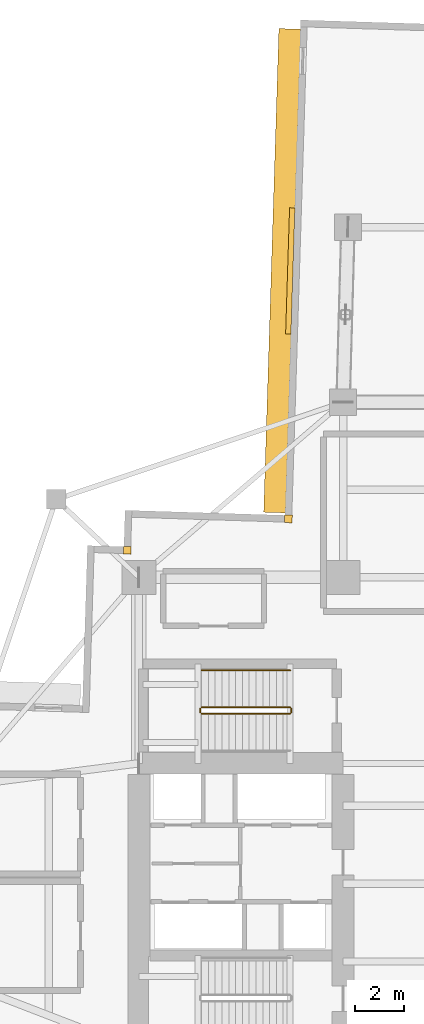
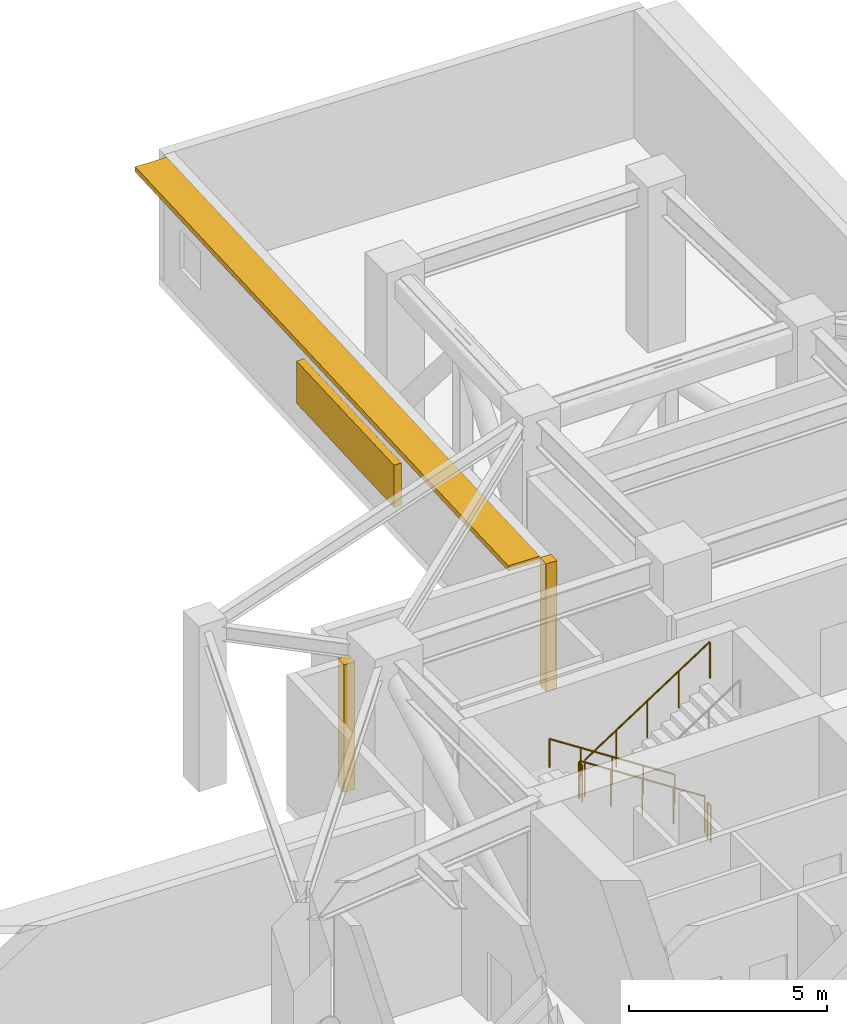
# One storey, part 16 of 17: 5 railings, 2 coverings, 2 shading devices.
"""IFC4 building model written with IfcOpenShell, lengths in metres."""

from ifc_helpers import new_model, si_unit, direction, frame, origin, origin_2d, place, context, subcontext, project, spatial, rectangle, circle, extrude, material, layer, layer_set, type_object, element, save


model = new_model("IFC4")

# Units and contexts
model_context = context("Model", 3, precision=1e-05, world=origin(), true_north=direction((0.0, 1.0)))
body_context = subcontext(model_context, "Body", "Model", "MODEL_VIEW")
ifc_project = project(units=[si_unit("LENGTHUNIT", "METRE"), si_unit("AREAUNIT", "SQUARE_METRE"), si_unit("VOLUMEUNIT", "CUBIC_METRE"), si_unit("PLANEANGLEUNIT", "RADIAN"), si_unit("MASSUNIT", "GRAM", prefix="KILO")], contexts=[model_context])

# Site, building, storey
site_placement = place(None, origin())
site = spatial("IfcSite", under=ifc_project, at=site_placement, CompositionType="ELEMENT")
building_placement = place(site_placement, origin())
building = spatial("IfcBuilding", under=site, at=building_placement, Name="Qingluan Cross Belvedere", CompositionType="ELEMENT")
storey_placement = place(building_placement, frame((0.0, 0.0, 95.10009765625)))
storey = spatial("IfcBuildingStorey", under=building, at=storey_placement, Name="L24", CompositionType="ELEMENT", Elevation=95.10009765625)

# Coverings
ifc_material_1 = material(Name="Precast concrete C45", Category="concrete")
ifc_layer_1 = layer(ifc_material_1, 0.1201171875, Name="ConcreteSpandrelCladding_120")
ifc_layer_set_1 = layer_set([ifc_layer_1], Name="Precast concrete C45")
covering_type = type_object("IfcCoveringType", Name="ConcreteSpandrelCladding_120", PredefinedType="CLADDING", material=ifc_layer_set_1)
for number, where, z_axis, x_axis, name in (
    (1, (-12.875732421875, 13.711181640625, 0.0), (0.0, 0.0, 1.0), (0.999506560366, -0.031410759078, 0.0), "Corner closure L24-NW1"),
    (2, (-6.251708984375, 15.00390625, 0.0), (0.0, 0.0, 1.0), (0.999506560366, -0.031410759078, 0.0), "Corner closure L24-NW2"),
):
    element("IfcCovering", number, at=place(storey_placement, frame(where, z_axis=z_axis, x_axis=x_axis)), inside=storey, type_object=covering_type, Name=name, PredefinedType="CLADDING", context=body_context, shape_type="SweptSolid", body=[
        extrude(rectangle(XDim=0.320068359375, YDim=0.320068359375, at=origin_2d()), origin(), (0.0, 0.0, 1.0), 3.929931640625),
    ])

# Shading devices
ifc_material_2 = material(Name="Precast concrete C45", Category="concrete")
ifc_layer_2 = layer(ifc_material_2, 0.159912109375, Name="ConcreteSunshadeBand_900")
ifc_layer_set_2 = layer_set([ifc_layer_2], Name="Precast concrete C45")
shading_device_type_1 = type_object("IfcShadingDeviceType", Name="ConcreteSunshadeBand_900", PredefinedType="USERDEFINED", material=ifc_layer_set_2)
shading_device_1_placement = place(storey_placement, frame((-6.50146484375, 25.206787109375, 3.75), z_axis=(0.0, 0.0, 1.0), x_axis=(-0.031407934627, -0.999506649124, 0.0)))
element("IfcShadingDevice", 3, at=shading_device_1_placement, inside=storey, type_object=shading_device_type_1, Name="Concrete SUNSHADE L24-NB", ObjectType="SUNSHADE", PredefinedType="USERDEFINED", context=body_context, shape_type="SweptSolid", body=[
    extrude(rectangle(XDim=19.89990234375, YDim=0.89990234375, at=origin_2d()), origin(), (0.0, 0.0, 1.0), 0.159912109375),
])
ifc_material_3 = material(Name="Anodised aluminium acoustic louvre screen", Category="aluminium")
ifc_layer_3 = layer(ifc_material_3, 0.219970703125, Name="RefugeAcousticLouvre_Screen")
ifc_layer_set_3 = layer_set([ifc_layer_3], Name="Anodised aluminium acoustic louvre screen")
shading_device_type_2 = type_object("IfcShadingDeviceType", Name="RefugeAcousticLouvre_Screen", PredefinedType="JALOUSIE", material=ifc_layer_set_3)
shading_device_2_placement = place(storey_placement, frame((-6.171630859375, 25.1962890625, 0.94970703125), z_axis=(0.0, 0.0, 1.0), x_axis=(-0.031407934627, -0.999506649124, 0.0)))
element("IfcShadingDevice", 4, at=shading_device_2_placement, inside=storey, type_object=shading_device_type_2, Name="Plant acoustic louvre SCREEN L24-NB", PredefinedType="JALOUSIE", context=body_context, shape_type="SweptSolid", body=[
    extrude(rectangle(XDim=5.199951171875, YDim=0.219970703125, at=origin_2d()), origin(), (0.0, 0.0, 1.0), 1.300048828125),
])

# Railings
ifc_material_4 = material(Name="Brushed stainless steel tubular handrail", Category="steel")
railing_type_1 = type_object("IfcRailingType", Name="StairPitchHandrail_900", PredefinedType="HANDRAIL", material=ifc_material_4)
railing_1_placement = place(storey_placement, frame((-6.179931640625, 8.77001953125, 0.18212890625)))
element("IfcRailing", 5, at=railing_1_placement, inside=storey, type_object=railing_type_1, Name="L24 ST3 stair handrail 1", PredefinedType="HANDRAIL", context=body_context, shape_type="SweptSolid", body=[
    extrude(circle(Radius=0.02392578125, at=origin_2d()), frame((0.0, 0.0, 0.8759765625), z_axis=(-0.838276589377, 0.0, 0.545245228959), x_axis=(0.0, -1.0, 0.0)), (0.0, 0.0, 1.0), 4.34228515625),
    extrude(circle(Radius=0.02099609375, at=origin_2d()), origin(), (0.0, 0.0, 1.0), 0.851806640625),
    extrude(circle(Radius=0.02099609375, at=origin_2d()), frame((-0.91015625, 0.0, 0.591796875)), (0.0, 0.0, 1.0), 0.851806640625),
    extrude(circle(Radius=0.02099609375, at=origin_2d()), frame((-1.820068359375, 0.0, 1.183837890625)), (0.0, 0.0, 1.0), 0.851806640625),
    extrude(circle(Radius=0.02099609375, at=origin_2d()), frame((-2.72998046875, 0.0, 1.77587890625)), (0.0, 0.0, 1.0), 0.851806640625),
    extrude(circle(Radius=0.02099609375, at=origin_2d()), frame((-3.64013671875, 0.0, 2.36767578125)), (0.0, 0.0, 1.0), 0.851806640625),
])
ifc_material_5 = material(Name="Painted steel stair well guard", Category="steel")
railing_type_2 = type_object("IfcRailingType", Name="StairWellGuard_1150", PredefinedType="BALUSTRADE", material=ifc_material_5)
railing_2_placement = place(storey_placement, frame((-6.179931640625, 7.25, 0.18212890625)))
element("IfcRailing", 6, at=railing_2_placement, inside=storey, type_object=railing_type_2, Name="L24 ST3 stair guard 1", PredefinedType="BALUSTRADE", context=body_context, shape_type="SweptSolid", body=[
    extrude(circle(Radius=0.02392578125, at=origin_2d()), frame((0.0, 0.0, 1.1259765625), z_axis=(-0.838276589377, 0.0, 0.545245228959), x_axis=(0.0, -1.0, 0.0)), (0.0, 0.0, 1.0), 4.34228515625),
    extrude(circle(Radius=0.02099609375, at=origin_2d()), origin(), (0.0, 0.0, 1.0), 1.101806640625),
    extrude(circle(Radius=0.02099609375, at=origin_2d()), frame((-0.91015625, 0.0, 0.591796875)), (0.0, 0.0, 1.0), 1.101806640625),
    extrude(circle(Radius=0.02099609375, at=origin_2d()), frame((-1.820068359375, 0.0, 1.183837890625)), (0.0, 0.0, 1.0), 1.101806640625),
    extrude(circle(Radius=0.02099609375, at=origin_2d()), frame((-2.72998046875, 0.0, 1.77587890625)), (0.0, 0.0, 1.0), 1.101806640625),
    extrude(circle(Radius=0.02099609375, at=origin_2d()), frame((-3.64013671875, 0.0, 2.36767578125)), (0.0, 0.0, 1.0), 1.101806640625),
])
railing_3_placement = place(storey_placement, frame((-9.8701171875, 7.199951171875, 2.5498046875)))
element("IfcRailing", 7, at=railing_3_placement, inside=storey, type_object=railing_type_2, Name="L24 ST3 stair guard 2", PredefinedType="BALUSTRADE", context=body_context, shape_type="SweptSolid", body=[
    extrude(circle(Radius=0.02392578125, at=origin_2d()), frame((0.0, 0.0, 1.1259765625), z_axis=(0.0, -1.0, 0.0), x_axis=(1.0, 0.0, 0.0)), (0.0, 0.0, 1.0), 0.159912109375),
    extrude(circle(Radius=0.02099609375, at=origin_2d()), origin(), (0.0, 0.0, 1.0), 1.101806640625),
    extrude(circle(Radius=0.02099609375, at=origin_2d()), frame((0.0, -0.159912109375, 0.0)), (0.0, 0.0, 1.0), 1.101806640625),
])
railing_4_placement = place(storey_placement, frame((-9.820068359375, 6.989990234375, 2.73193359375)))
element("IfcRailing", 8, at=railing_4_placement, inside=storey, type_object=railing_type_2, Name="L24 ST3 stair guard 3", PredefinedType="BALUSTRADE", context=body_context, shape_type="SweptSolid", body=[
    extrude(circle(Radius=0.02392578125, at=origin_2d()), frame((0.0, 0.0, 1.1259765625), z_axis=(0.83825089185, 0.0, 0.545284735081), x_axis=(0.0, 1.0, 0.0)), (0.0, 0.0, 1.0), 4.342529296875),
    extrude(circle(Radius=0.02099609375, at=origin_2d()), origin(), (0.0, 0.0, 1.0), 1.101806640625),
    extrude(circle(Radius=0.02099609375, at=origin_2d()), frame((0.91015625, 0.0, 0.592041015625)), (0.0, 0.0, 1.0), 1.101806640625),
    extrude(circle(Radius=0.02099609375, at=origin_2d()), frame((1.820068359375, 0.0, 1.18408203125)), (0.0, 0.0, 1.0), 1.101806640625),
    extrude(circle(Radius=0.02099609375, at=origin_2d()), frame((2.72998046875, 0.0, 1.77587890625)), (0.0, 0.0, 1.0), 1.101806640625),
    extrude(circle(Radius=0.02099609375, at=origin_2d()), frame((3.64013671875, 0.0, 2.367919921875)), (0.0, 0.0, 1.0), 1.101806640625),
])
railing_5_placement = place(storey_placement, frame((-6.1298828125, 7.199951171875, 0.0)))
element("IfcRailing", 9, at=railing_5_placement, inside=storey, type_object=railing_type_2, Name="L24 ST3 stair guard 4", PredefinedType="BALUSTRADE", context=body_context, shape_type="SweptSolid", body=[
    extrude(circle(Radius=0.02392578125, at=origin_2d()), frame((0.0, 0.0, 1.1259765625), z_axis=(0.0, -1.0, 0.0), x_axis=(1.0, 0.0, 0.0)), (0.0, 0.0, 1.0), 0.159912109375),
    extrude(circle(Radius=0.02099609375, at=origin_2d()), origin(), (0.0, 0.0, 1.0), 1.101806640625),
    extrude(circle(Radius=0.02099609375, at=origin_2d()), frame((0.0, -0.159912109375, 0.0)), (0.0, 0.0, 1.0), 1.101806640625),
])

save(model, "model.ifc")
